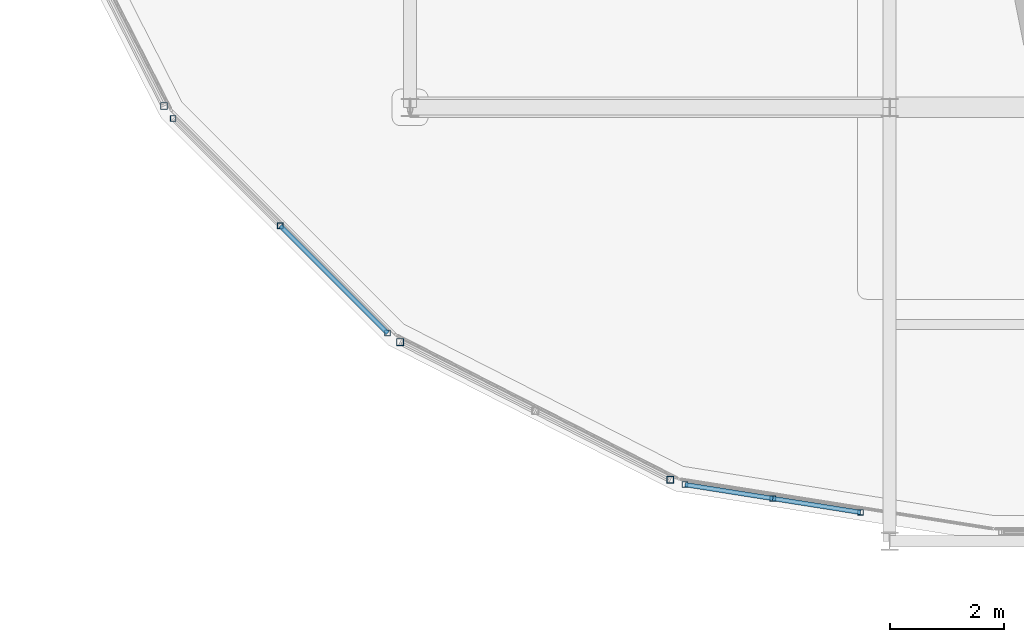
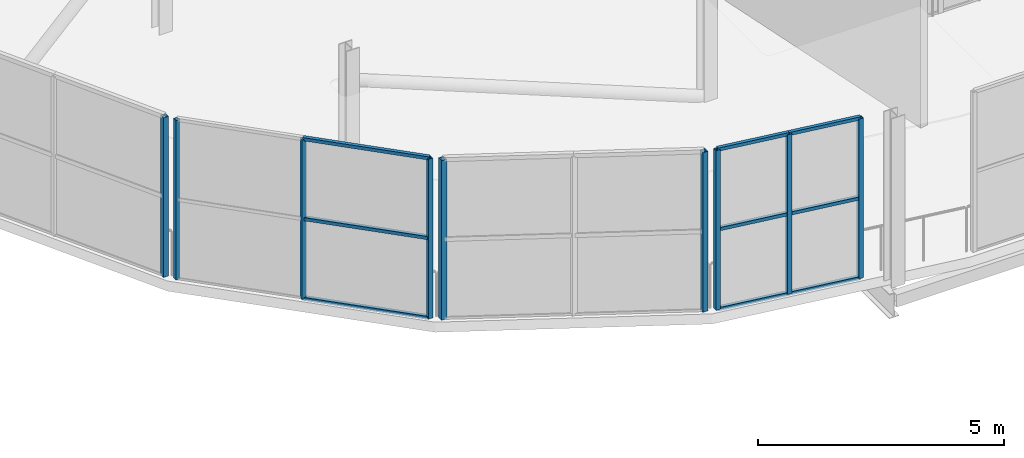
# One storey, part 14 of 151: 18 members, 4 elements without a shape of their own.
"""IFC4 building model written with IfcOpenShell, lengths in metres."""

from ifc_helpers import new_model, si_unit, direction, frame, origin, origin_2d, place, context, subcontext, project, spatial, hollow_rectangle, extrude, material, material_profile, profile_set, type_object, element, aggregate, save


model = new_model("IFC4")

# Units and contexts
model_context = context("Model", 3, precision=1e-05, world=origin(), true_north=direction((0.0, 1.0)))
body_context = subcontext(model_context, "Body", "Model", "MODEL_VIEW")
ifc_project = project(units=[si_unit("LENGTHUNIT", "METRE"), si_unit("AREAUNIT", "SQUARE_METRE"), si_unit("VOLUMEUNIT", "CUBIC_METRE"), si_unit("PLANEANGLEUNIT", "RADIAN"), si_unit("MASSUNIT", "GRAM", prefix="KILO")], contexts=[model_context])

# Site, building, storey
site_placement = place(None, origin())
site = spatial("IfcSite", under=ifc_project, at=site_placement, CompositionType="ELEMENT")
building_placement = place(site_placement, origin())
building = spatial("IfcBuilding", under=site, at=building_placement, Name="Zuvorla Pavilion Media Centre", CompositionType="ELEMENT")
storey_placement = place(building_placement, frame((0.0, 0.0, 13.800048828125)))
storey = spatial("IfcBuildingStorey", under=building, at=storey_placement, Name="L03", CompositionType="ELEMENT", Elevation=13.800048828125)

# Curtain wall, members
ifc_material_1 = material(Name="Unitised anodised aluminium and solar glass curtain wall", Category="aluminium")
curtain_wall_type_1 = type_object("IfcCurtainWallType", Name="CW-SYS-04", PredefinedType="USERDEFINED", material=ifc_material_1)
curtain_wall_1_placement = place(storey_placement, origin())
curtain_wall_1 = element("IfcCurtainWall", 1, at=curtain_wall_1_placement, inside=storey, type_object=curtain_wall_type_1, Name="L03 curtain wall CW04 129", ObjectType="CURTAIN WALL", PredefinedType="USERDEFINED")
ifc_material_2 = material(Name="Anodised aluminium 6063-T6", Category="aluminium")
ifc_material_profile_1 = material_profile(ifc_material_2, hollow_rectangle(XDim=0.10009765625, YDim=0.10009765625, WallThickness=0.00439453125, at=origin_2d()), Name="ALU MULL 100x100")
ifc_profile_set_1 = profile_set([ifc_material_profile_1], Name="Anodised aluminium 6063-T6")
member_type_1 = type_object("IfcMemberType", Name="CW-MULL-100", PredefinedType="MULLION", material=ifc_profile_set_1)
member_1_placement = place(storey_placement, frame((12.249755859375, 51.40576171875, 0.0), z_axis=(0.0, 0.0, 1.0), x_axis=(1.0, 0.0, 0.0)))
member_1 = element("IfcMember", 2, at=member_1_placement, type_object=member_type_1, Name="CW04 mullion 1", PredefinedType="MULLION", context=body_context, shape_type="SweptSolid", body=[
    extrude(hollow_rectangle(XDim=0.10009765625, YDim=0.10009765625, WallThickness=0.00439453125, at=origin_2d()), origin(), (0.0, 0.0, 1.0), 3.9599609375),
])
member_2_placement = place(storey_placement, frame((14.127685546875, 49.52783203125, 0.0), z_axis=(0.0, 0.0, 1.0), x_axis=(1.0, 0.0, 0.0)))
member_2 = element("IfcMember", 3, at=member_2_placement, type_object=member_type_1, Name="CW04 mullion 2", PredefinedType="MULLION", context=body_context, shape_type="SweptSolid", body=[
    extrude(hollow_rectangle(XDim=0.10009765625, YDim=0.10009765625, WallThickness=0.00439453125, at=origin_2d()), origin(), (0.0, 0.0, 1.0), 3.9599609375),
])
member_3_placement = place(storey_placement, frame((16.005859375, 47.64990234375, 0.0), z_axis=(0.0, 0.0, 1.0), x_axis=(1.0, 0.0, 0.0)))
member_3 = element("IfcMember", 4, at=member_3_placement, type_object=member_type_1, Name="CW04 mullion 3", PredefinedType="MULLION", context=body_context, shape_type="SweptSolid", body=[
    extrude(hollow_rectangle(XDim=0.10009765625, YDim=0.10009765625, WallThickness=0.00439453125, at=origin_2d()), origin(), (0.0, 0.0, 1.0), 3.9599609375),
])

curtain_wall_type_2 = type_object("IfcCurtainWallType", Name="CW-SYS-60", PredefinedType="USERDEFINED", material=ifc_material_1)
curtain_wall_2_placement = place(storey_placement, origin())
curtain_wall_2 = element("IfcCurtainWall", 5, at=curtain_wall_2_placement, inside=storey, type_object=curtain_wall_type_2, Name="L03 curtain wall CW60 131", ObjectType="CURTAIN WALL", PredefinedType="USERDEFINED")
member_4_placement = place(storey_placement, frame((21.217529296875, 44.994140625, 0.0), z_axis=(0.0, 0.0, 1.0), x_axis=(1.0, 0.0, 0.0)))
member_4 = element("IfcMember", 6, at=member_4_placement, type_object=member_type_1, Name="CW60 mullion 1", PredefinedType="MULLION", context=body_context, shape_type="SweptSolid", body=[
    extrude(hollow_rectangle(XDim=0.10009765625, YDim=0.10009765625, WallThickness=0.00439453125, at=origin_2d()), origin(), (0.0, 0.0, 1.0), 3.9599609375),
])
member_5_placement = place(storey_placement, frame((22.75439453125, 44.750732421875, 0.0), z_axis=(0.0, 0.0, 1.0), x_axis=(1.0, 0.0, 0.0)))
member_5 = element("IfcMember", 7, at=member_5_placement, type_object=member_type_1, Name="CW60 mullion 2", PredefinedType="MULLION", context=body_context, shape_type="SweptSolid", body=[
    extrude(hollow_rectangle(XDim=0.10009765625, YDim=0.10009765625, WallThickness=0.00439453125, at=origin_2d()), origin(), (0.0, 0.0, 1.0), 3.9599609375),
])
member_6_placement = place(storey_placement, frame((24.291259765625, 44.50732421875, 0.0), z_axis=(0.0, 0.0, 1.0), x_axis=(1.0, 0.0, 0.0)))
member_6 = element("IfcMember", 8, at=member_6_placement, type_object=member_type_1, Name="CW60 mullion 3", PredefinedType="MULLION", context=body_context, shape_type="SweptSolid", body=[
    extrude(hollow_rectangle(XDim=0.10009765625, YDim=0.10009765625, WallThickness=0.00439453125, at=origin_2d()), origin(), (0.0, 0.0, 1.0), 3.9599609375),
])

# Curtain wall, member
curtain_wall_type_3 = type_object("IfcCurtainWallType", Name="CW-SYS-03", PredefinedType="USERDEFINED", material=ifc_material_1)
curtain_wall_3_placement = place(storey_placement, origin())
curtain_wall_3 = element("IfcCurtainWall", 9, at=curtain_wall_3_placement, inside=storey, type_object=curtain_wall_type_3, Name="L03 curtain wall CW03 128", ObjectType="CURTAIN WALL", PredefinedType="USERDEFINED")
ifc_material_profile_2 = material_profile(ifc_material_2, hollow_rectangle(XDim=0.1201171875, YDim=0.1201171875, WallThickness=0.0048828125, at=origin_2d()), Name="ALU MULL 120x120")
ifc_profile_set_2 = profile_set([ifc_material_profile_2], Name="Anodised aluminium 6063-T6")
member_type_2 = type_object("IfcMemberType", Name="CW-MULL-120", PredefinedType="MULLION", material=ifc_profile_set_2)
member_7_placement = place(storey_placement, frame((12.08984375, 51.6259765625, 0.0), z_axis=(0.0, 0.0, 1.0), x_axis=(1.0, 0.0, 0.0)))
member_7 = element("IfcMember", 10, at=member_7_placement, type_object=member_type_2, Name="CW03 mullion 3", PredefinedType="MULLION", context=body_context, shape_type="SweptSolid", body=[
    extrude(hollow_rectangle(XDim=0.1201171875, YDim=0.1201171875, WallThickness=0.0048828125, at=origin_2d()), origin(), (0.0, 0.0, 1.0), 3.9599609375),
])
aggregate(curtain_wall_3, [member_7])

# Curtain wall, members
curtain_wall_type_4 = type_object("IfcCurtainWallType", Name="CW-SYS-02", PredefinedType="USERDEFINED", material=ifc_material_1)
curtain_wall_4_placement = place(storey_placement, origin())
curtain_wall_4 = element("IfcCurtainWall", 11, at=curtain_wall_4_placement, inside=storey, type_object=curtain_wall_type_4, Name="L03 curtain wall CW02 130", ObjectType="CURTAIN WALL", PredefinedType="USERDEFINED")
member_8_placement = place(storey_placement, frame((16.22607421875, 47.48974609375, 0.0), z_axis=(0.0, 0.0, 1.0), x_axis=(1.0, 0.0, 0.0)))
member_8 = element("IfcMember", 12, at=member_8_placement, type_object=member_type_2, Name="CW02 mullion 1", PredefinedType="MULLION", context=body_context, shape_type="SweptSolid", body=[
    extrude(hollow_rectangle(XDim=0.1201171875, YDim=0.1201171875, WallThickness=0.0048828125, at=origin_2d()), origin(), (0.0, 0.0, 1.0), 3.9599609375),
])
member_9_placement = place(storey_placement, frame((20.958740234375, 45.078369140625, 0.0), z_axis=(0.0, 0.0, 1.0), x_axis=(1.0, 0.0, 0.0)))
member_9 = element("IfcMember", 13, at=member_9_placement, type_object=member_type_2, Name="CW02 mullion 3", PredefinedType="MULLION", context=body_context, shape_type="SweptSolid", body=[
    extrude(hollow_rectangle(XDim=0.1201171875, YDim=0.1201171875, WallThickness=0.0048828125, at=origin_2d()), origin(), (0.0, 0.0, 1.0), 3.9599609375),
])
aggregate(curtain_wall_4, [member_8, member_9])

# Member
ifc_material_profile_3 = material_profile(ifc_material_2, hollow_rectangle(XDim=0.080078125, YDim=0.080078125, WallThickness=0.00390625, at=origin_2d()), Name="ALU TRAN 80x80")
ifc_profile_set_3 = profile_set([ifc_material_profile_3], Name="Anodised aluminium 6063-T6")
member_type_3 = type_object("IfcMemberType", Name="CW-TRAN-80", PredefinedType="USERDEFINED", material=ifc_profile_set_3)
member_10_placement = place(storey_placement, frame((14.127685546875, 49.52783203125, 0.0), z_axis=(0.707152740485, -0.707060818901, 0.0), x_axis=(0.707060818901, 0.707152740485, 0.0)))
member_10 = element("IfcMember", 14, at=member_10_placement, type_object=member_type_3, Name="CW04 transom 2.1", ObjectType="TRANSOM", PredefinedType="USERDEFINED", context=body_context, shape_type="SweptSolid", body=[
    extrude(hollow_rectangle(XDim=0.080078125, YDim=0.080078125, WallThickness=0.00390625, at=origin_2d()), origin(), (0.0, 0.0, 1.0), 2.656005859375),
])

member_11_placement = place(storey_placement, frame((14.127685546875, 49.52783203125, 1.97998046875), z_axis=(0.707152740485, -0.707060818901, 0.0), x_axis=(0.707060818901, 0.707152740485, 0.0)))
member_11 = element("IfcMember", 15, at=member_11_placement, type_object=member_type_3, Name="CW04 transom 2.2", ObjectType="TRANSOM", PredefinedType="USERDEFINED", context=body_context, shape_type="SweptSolid", body=[
    extrude(hollow_rectangle(XDim=0.080078125, YDim=0.080078125, WallThickness=0.00390625, at=origin_2d()), origin(), (0.0, 0.0, 1.0), 2.656005859375),
])

member_12_placement = place(storey_placement, frame((14.127685546875, 49.52783203125, 3.9599609375), z_axis=(0.707152740485, -0.707060818901, 0.0), x_axis=(0.707060818901, 0.707152740485, 0.0)))
member_12 = element("IfcMember", 16, at=member_12_placement, type_object=member_type_3, Name="CW04 transom 2.3", ObjectType="TRANSOM", PredefinedType="USERDEFINED", context=body_context, shape_type="SweptSolid", body=[
    extrude(hollow_rectangle(XDim=0.080078125, YDim=0.080078125, WallThickness=0.00390625, at=origin_2d()), origin(), (0.0, 0.0, 1.0), 2.656005859375),
])

aggregate(curtain_wall_1, [member_1, member_2, member_3, member_10, member_11, member_12])

member_13_placement = place(storey_placement, frame((21.217529296875, 44.994140625, 0.0), z_axis=(0.987689069115, -0.156429865275, 0.0), x_axis=(0.156429865275, 0.987689069115, 0.0)))
member_13 = element("IfcMember", 17, at=member_13_placement, type_object=member_type_3, Name="CW60 transom 1.1", ObjectType="TRANSOM", PredefinedType="USERDEFINED", context=body_context, shape_type="SweptSolid", body=[
    extrude(hollow_rectangle(XDim=0.080078125, YDim=0.080078125, WallThickness=0.00390625, at=origin_2d()), origin(), (0.0, 0.0, 1.0), 1.555908203125),
])

member_14_placement = place(storey_placement, frame((21.217529296875, 44.994140625, 1.97998046875), z_axis=(0.987689069115, -0.156429865275, 0.0), x_axis=(0.156429865275, 0.987689069115, 0.0)))
member_14 = element("IfcMember", 18, at=member_14_placement, type_object=member_type_3, Name="CW60 transom 1.2", ObjectType="TRANSOM", PredefinedType="USERDEFINED", context=body_context, shape_type="SweptSolid", body=[
    extrude(hollow_rectangle(XDim=0.080078125, YDim=0.080078125, WallThickness=0.00390625, at=origin_2d()), origin(), (0.0, 0.0, 1.0), 1.555908203125),
])

member_15_placement = place(storey_placement, frame((21.217529296875, 44.994140625, 3.9599609375), z_axis=(0.987689069115, -0.156429865275, 0.0), x_axis=(0.156429865275, 0.987689069115, 0.0)))
member_15 = element("IfcMember", 19, at=member_15_placement, type_object=member_type_3, Name="CW60 transom 1.3", ObjectType="TRANSOM", PredefinedType="USERDEFINED", context=body_context, shape_type="SweptSolid", body=[
    extrude(hollow_rectangle(XDim=0.080078125, YDim=0.080078125, WallThickness=0.00390625, at=origin_2d()), origin(), (0.0, 0.0, 1.0), 1.555908203125),
])

member_16_placement = place(storey_placement, frame((22.75439453125, 44.750732421875, 0.0), z_axis=(0.987689069115, -0.156429865275, 0.0), x_axis=(0.156429865275, 0.987689069115, 0.0)))
member_16 = element("IfcMember", 20, at=member_16_placement, type_object=member_type_3, Name="CW60 transom 2.1", ObjectType="TRANSOM", PredefinedType="USERDEFINED", context=body_context, shape_type="SweptSolid", body=[
    extrude(hollow_rectangle(XDim=0.080078125, YDim=0.080078125, WallThickness=0.00390625, at=origin_2d()), origin(), (0.0, 0.0, 1.0), 1.555908203125),
])

member_17_placement = place(storey_placement, frame((22.75439453125, 44.750732421875, 1.97998046875), z_axis=(0.987689069115, -0.156429865275, 0.0), x_axis=(0.156429865275, 0.987689069115, 0.0)))
member_17 = element("IfcMember", 21, at=member_17_placement, type_object=member_type_3, Name="CW60 transom 2.2", ObjectType="TRANSOM", PredefinedType="USERDEFINED", context=body_context, shape_type="SweptSolid", body=[
    extrude(hollow_rectangle(XDim=0.080078125, YDim=0.080078125, WallThickness=0.00390625, at=origin_2d()), origin(), (0.0, 0.0, 1.0), 1.555908203125),
])

member_18_placement = place(storey_placement, frame((22.75439453125, 44.750732421875, 3.9599609375), z_axis=(0.987689069115, -0.156429865275, 0.0), x_axis=(0.156429865275, 0.987689069115, 0.0)))
member_18 = element("IfcMember", 22, at=member_18_placement, type_object=member_type_3, Name="CW60 transom 2.3", ObjectType="TRANSOM", PredefinedType="USERDEFINED", context=body_context, shape_type="SweptSolid", body=[
    extrude(hollow_rectangle(XDim=0.080078125, YDim=0.080078125, WallThickness=0.00390625, at=origin_2d()), origin(), (0.0, 0.0, 1.0), 1.555908203125),
])

aggregate(curtain_wall_2, [member_4, member_5, member_6, member_13, member_14, member_15, member_16, member_17, member_18])

save(model, "model.ifc")
